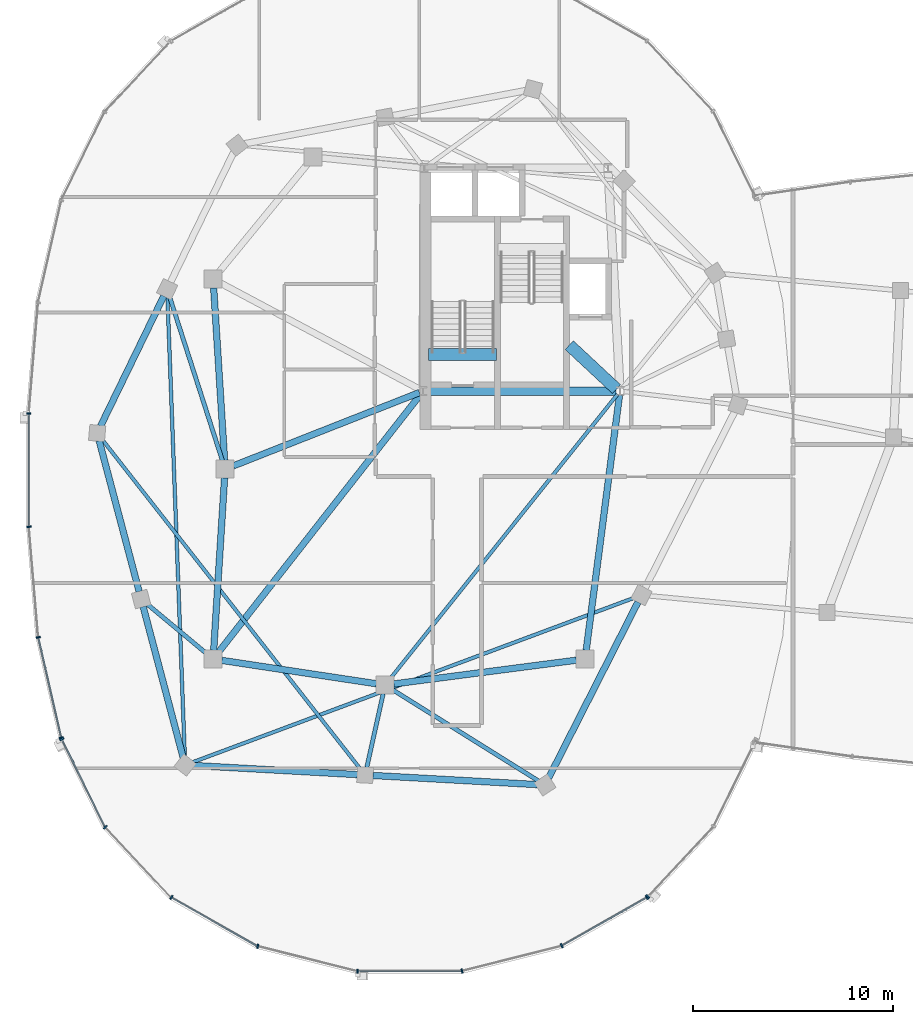
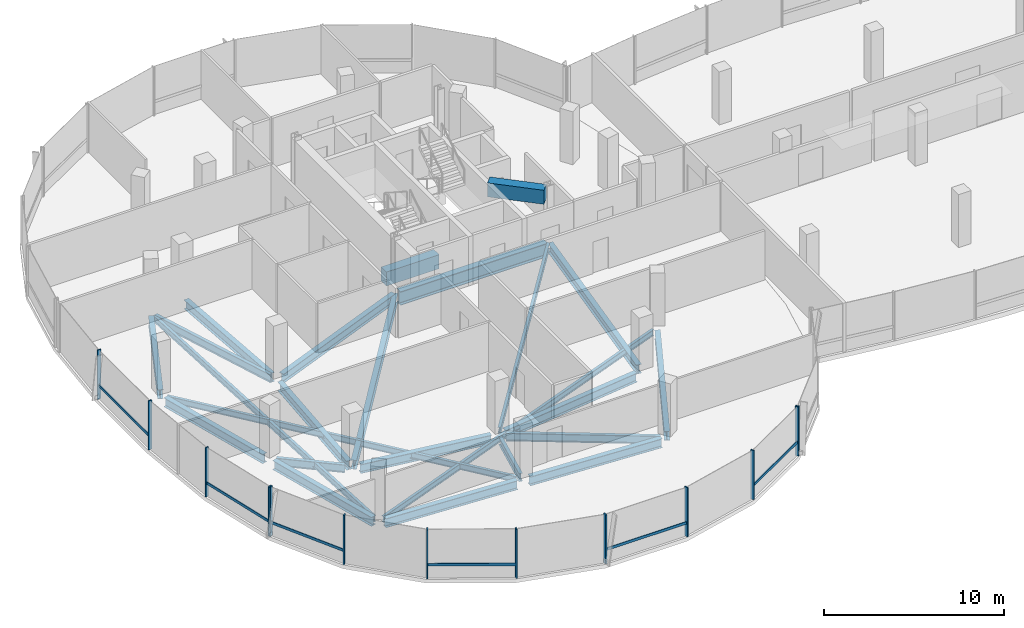
# One storey, part 3 of 26: 24 beams, 19 members, 3 elements without a shape of their own.
"""IFC4 building model written with IfcOpenShell, lengths in metres."""

from ifc_helpers import new_model, si_unit, direction, frame, origin, origin_2d, place, context, subcontext, project, spatial, rectangle, i_section, extrude, material, material_profile, profile_set, type_object, element, aggregate, save


model = new_model("IFC4")

# Units and contexts
model_context = context("Model", 3, precision=1e-05, world=origin(), true_north=direction((0.0, 1.0)))
body_context = subcontext(model_context, "Body", "Model", "MODEL_VIEW")
ifc_project = project(units=[si_unit("LENGTHUNIT", "METRE"), si_unit("AREAUNIT", "SQUARE_METRE"), si_unit("VOLUMEUNIT", "CUBIC_METRE"), si_unit("PLANEANGLEUNIT", "RADIAN"), si_unit("MASSUNIT", "GRAM", prefix="KILO"), si_unit("THERMODYNAMICTEMPERATUREUNIT", "KELVIN"), si_unit("POWERUNIT", "WATT")], contexts=[model_context])

# Site, building, storey
site_placement = place(None, origin())
site = spatial("IfcSite", under=ifc_project, at=site_placement, CompositionType="ELEMENT")
building_placement = place(site_placement, origin())
building = spatial("IfcBuilding", under=site, at=building_placement, Name="Cundina Bronze Exchange", CompositionType="ELEMENT")
storey_placement = place(building_placement, frame((0.0, 0.0, 264.800048828125)))
storey = spatial("IfcBuildingStorey", under=building, at=storey_placement, Name="L70", CompositionType="ELEMENT", Elevation=264.800048828125)

# Beams
ifc_material_1 = material(Name="Concrete C60/75", Category="concrete")
ifc_material_profile_1 = material_profile(ifc_material_1, rectangle(XDim=0.60009765625, YDim=0.949951171875, at=origin_2d()), Name="RC600X950", Category="concrete")
ifc_profile_set_1 = profile_set([ifc_material_profile_1], Name="Concrete C60/75")
beam_type_1 = type_object("IfcBeamType", Name="BM-COUP-RC950", PredefinedType="LINTEL", material=ifc_profile_set_1)
beam_1_placement = place(storey_placement, frame((-31.02001953125, 5.719970703125, -0.47509765625), z_axis=(1.0, 0.0, 0.0), x_axis=(0.0, 1.0, 0.0)))
element("IfcBeam", 1, at=beam_1_placement, inside=storey, type_object=beam_type_1, Name="L70 Stair W1 Landing Header Beam", PredefinedType="LINTEL", context=body_context, shape_type="SweptSolid", body=[
    extrude(rectangle(XDim=0.60009765625, YDim=0.949951171875, at=origin_2d()), origin(), (0.0, 0.0, 1.0), 3.39990234375),
])
beam_2_placement = place(storey_placement, frame((-23.989990234375, 6.199951171875, 2.864990234375), z_axis=(0.731490439815, -0.681851696822, 0.0), x_axis=(0.681851696822, 0.731490439815, 0.0)))
element("IfcBeam", 2, at=beam_2_placement, inside=storey, type_object=beam_type_1, Name="L70 W Core Shear Coupling Lintel Beam", PredefinedType="LINTEL", context=body_context, shape_type="SweptSolid", body=[
    extrude(rectangle(XDim=0.60009765625, YDim=0.949951171875, at=origin_2d()), origin(), (0.0, 0.0, 1.0), 3.226318359375),
])
ifc_material_2 = material(Name="Steel ASTM A992 Grade 50", Category="steel")
ifc_material_profile_2 = material_profile(ifc_material_2, i_section(OverallWidth=0.2119140625, OverallDepth=0.5439453125, WebThickness=0.01318359375, FlangeThickness=0.021240234375, FilletRadius=0.013916015625, at=origin_2d()), Name="W21X83", Category="steel")
ifc_profile_set_2 = profile_set([ifc_material_profile_2], Name="Steel ASTM A992 Grade 50")
beam_type_2 = type_object("IfcBeamType", Name="BM-FLR-W21A", PredefinedType="BEAM", material=ifc_profile_set_2)
beam_3_placement = place(storey_placement, frame((-41.334228515625, 0.4169921875, -0.531982421875), z_axis=(-0.306706012964, 0.951804297958, 0.0), x_axis=(-0.951804297958, -0.306706012964, 0.0)))
element("IfcBeam", 3, at=beam_3_placement, inside=storey, type_object=beam_type_2, Name="L70 Leg W Radial Floor Beam 07", PredefinedType="BEAM", context=body_context, shape_type="SweptSolid", body=[
    extrude(i_section(OverallWidth=0.2119140625, OverallDepth=0.5439453125, WebThickness=0.01318359375, FlangeThickness=0.021240234375, FilletRadius=0.013916015625, at=origin_2d()), origin(), (0.0, 0.0, 1.0), 8.629638671875),
])
beam_4_placement = place(storey_placement, frame((-42.136474609375, -9.219482421875, -0.531982421875), z_axis=(-0.768210910963, 0.640196841821, 0.0), x_axis=(-0.640196841821, -0.768210910963, 0.0)))
element("IfcBeam", 4, at=beam_4_placement, inside=storey, type_object=beam_type_2, Name="L70 Leg W Radial Floor Beam 09", PredefinedType="BEAM", context=body_context, shape_type="SweptSolid", body=[
    extrude(i_section(OverallWidth=0.2119140625, OverallDepth=0.5439453125, WebThickness=0.01318359375, FlangeThickness=0.021240234375, FilletRadius=0.013916015625, at=origin_2d()), origin(), (0.0, 0.0, 1.0), 3.860107421875),
])
beam_5_placement = place(storey_placement, frame((-33.294921875, -11.2275390625, -0.531982421875), z_axis=(-0.216930457819, -0.976187060184, 0.0), x_axis=(0.976187060184, -0.216930457819, 0.0)))
element("IfcBeam", 5, at=beam_5_placement, inside=storey, type_object=beam_type_2, Name="L70 Leg W Radial Floor Beam 11", PredefinedType="BEAM", context=body_context, shape_type="SweptSolid", body=[
    extrude(i_section(OverallWidth=0.2119140625, OverallDepth=0.5439453125, WebThickness=0.01318359375, FlangeThickness=0.021240234375, FilletRadius=0.013916015625, at=origin_2d()), origin(), (0.0, 0.0, 1.0), 3.78369140625),
])
beam_6_placement = place(storey_placement, frame((-32.82861328125, -11.031982421875, -0.531982421875), z_axis=(0.847983963552, -0.530021884038, 0.0), x_axis=(0.530021884038, 0.847983963552, 0.0)))
element("IfcBeam", 6, at=beam_6_placement, inside=storey, type_object=beam_type_2, Name="L70 Leg W Radial Floor Beam 12", PredefinedType="BEAM", context=body_context, shape_type="SweptSolid", body=[
    extrude(i_section(OverallWidth=0.2119140625, OverallDepth=0.5439453125, WebThickness=0.01318359375, FlangeThickness=0.021240234375, FilletRadius=0.013916015625, at=origin_2d()), origin(), (0.0, 0.0, 1.0), 8.608154296875),
])
ifc_material_profile_3 = material_profile(ifc_material_2, i_section(OverallWidth=0.178955078125, OverallDepth=0.409912109375, WebThickness=0.0087890625, FlangeThickness=0.014404296875, FilletRadius=0.010986328125, at=origin_2d()), Name="W16X45", Category="steel")
ifc_profile_set_3 = profile_set([ifc_material_profile_3], Name="Steel ASTM A992 Grade 50")
beam_type_3 = type_object("IfcBeamType", Name="BM-JST-W16", PredefinedType="JOIST", material=ifc_profile_set_3)
beam_7_placement = place(storey_placement, frame((-21.572509765625, 3.746826171875, -0.465087890625), z_axis=(-0.624364266872, -0.781133319129, 0.0), x_axis=(0.781133319129, -0.624364266872, 0.0)))
element("IfcBeam", 7, at=beam_7_placement, inside=storey, type_object=beam_type_3, Name="L70 W Interior Core-to-Ring Joist 2", PredefinedType="JOIST", context=body_context, shape_type="SweptSolid", body=[
    extrude(i_section(OverallWidth=0.178955078125, OverallDepth=0.409912109375, WebThickness=0.0087890625, FlangeThickness=0.014404296875, FilletRadius=0.010986328125, at=origin_2d()), origin(), (0.0, 0.0, 1.0), 18.184814453125),
])
beam_8_placement = place(storey_placement, frame((-44.085205078125, 8.6123046875, -0.465087890625), z_axis=(0.037784872152, -0.999285896746, 0.0), x_axis=(0.999285896746, 0.037784872152, 0.0)))
element("IfcBeam", 8, at=beam_8_placement, inside=storey, type_object=beam_type_3, Name="L70 Leg W Lobe Floor Joist 07-10", PredefinedType="JOIST", context=body_context, shape_type="SweptSolid", body=[
    extrude(i_section(OverallWidth=0.178955078125, OverallDepth=0.409912109375, WebThickness=0.0087890625, FlangeThickness=0.014404296875, FilletRadius=0.010986328125, at=origin_2d()), origin(), (0.0, 0.0, 1.0), 23.041015625),
])
beam_9_placement = place(storey_placement, frame((-47.360595703125, 1.49462890625, -0.465087890625), z_axis=(0.616804005008, -0.78711677622, 0.0), x_axis=(0.78711677622, 0.616804005008, 0.0)))
element("IfcBeam", 9, at=beam_9_placement, inside=storey, type_object=beam_type_3, Name="L70 Leg W Lobe Floor Joist 08-11", PredefinedType="JOIST", context=body_context, shape_type="SweptSolid", body=[
    extrude(i_section(OverallWidth=0.178955078125, OverallDepth=0.409912109375, WebThickness=0.0087890625, FlangeThickness=0.014404296875, FilletRadius=0.010986328125, at=origin_2d()), origin(), (0.0, 0.0, 1.0), 20.948974609375),
])
beam_10_placement = place(storey_placement, frame((-42.83642578125, -14.66455078125, -0.465087890625), z_axis=(0.937127932085, 0.348986015344, 0.0), x_axis=(-0.348986015344, 0.937127932085, 0.0)))
element("IfcBeam", 10, at=beam_10_placement, inside=storey, type_object=beam_type_3, Name="L70 Leg W Lobe Floor Joist 10-13", PredefinedType="JOIST", context=body_context, shape_type="SweptSolid", body=[
    extrude(i_section(OverallWidth=0.178955078125, OverallDepth=0.409912109375, WebThickness=0.0087890625, FlangeThickness=0.014404296875, FilletRadius=0.010986328125, at=origin_2d()), origin(), (0.0, 0.0, 1.0), 23.58056640625),
])
ifc_material_profile_4 = material_profile(ifc_material_2, i_section(OverallWidth=0.324951171875, OverallDepth=0.615966796875, WebThickness=0.013916015625, FlangeThickness=0.021484375, FilletRadius=0.01611328125, at=origin_2d()), Name="W24X117", Category="steel")
ifc_profile_set_4 = profile_set([ifc_material_profile_4], Name="Steel ASTM A992 Grade 50")
beam_type_4 = type_object("IfcBeamType", Name="BM-RING-W24", PredefinedType="USERDEFINED", material=ifc_profile_set_4)
for number, where, z_axis, x_axis, name in (
    (11, (-41.7724609375, 9.06298828125, -0.568115234375), (0.063046519736, -0.998010589297, 0.0), (0.998010589297, 0.063046519736, 0.0), "L70 W Inner Structural Ring Girder 03"),
    (12, (-41.2275390625, -0.43701171875, -0.568115234375), (-0.063046519736, -0.998010589297, 0.0), (0.998010589297, -0.063046519736, 0.0), "L70 W Inner Structural Ring Girder 04"),
):
    element("IfcBeam", number, at=place(storey_placement, frame(where, z_axis=z_axis, x_axis=x_axis)), inside=storey, type_object=beam_type_4, Name=name, ObjectType="GIRDER", PredefinedType="USERDEFINED", context=body_context, shape_type="SweptSolid", body=[
        extrude(i_section(OverallWidth=0.324951171875, OverallDepth=0.615966796875, WebThickness=0.013916015625, FlangeThickness=0.021484375, FilletRadius=0.01611328125, at=origin_2d()), origin(), (0.0, 0.0, 1.0), 8.64306640625),
    ])
beam_11_placement = place(storey_placement, frame((-41.366943359375, -9.5654296875, -0.568115234375), z_axis=(0.988764903598, -0.149478979839, 0.0), x_axis=(0.149478979839, 0.988764903598, 0.0)))
element("IfcBeam", 13, at=beam_11_placement, inside=storey, type_object=beam_type_4, Name="L70 W Inner Structural Ring Girder 05", ObjectType="GIRDER", PredefinedType="USERDEFINED", context=body_context, shape_type="SweptSolid", body=[
    extrude(i_section(OverallWidth=0.324951171875, OverallDepth=0.615966796875, WebThickness=0.013916015625, FlangeThickness=0.021484375, FilletRadius=0.01611328125, at=origin_2d()), origin(), (0.0, 0.0, 1.0), 7.82177734375),
])
beam_12_placement = place(storey_placement, frame((-32.765625, -10.743408203125, -0.568115234375), z_axis=(0.991656498582, 0.128908451316, 0.0), x_axis=(-0.128908451316, 0.991656498582, 0.0)))
element("IfcBeam", 14, at=beam_12_placement, inside=storey, type_object=beam_type_4, Name="L70 W Inner Structural Ring Girder 06", ObjectType="GIRDER", PredefinedType="USERDEFINED", context=body_context, shape_type="SweptSolid", body=[
    extrude(i_section(OverallWidth=0.324951171875, OverallDepth=0.615966796875, WebThickness=0.013916015625, FlangeThickness=0.021484375, FilletRadius=0.01611328125, at=origin_2d()), origin(), (0.0, 0.0, 1.0), 9.208251953125),
])
beam_13_placement = place(storey_placement, frame((-23.143310546875, -9.065673828125, -0.568115234375), z_axis=(0.129501251979, 0.991579258424, 0.0), x_axis=(-0.991579258424, 0.129501251979, 0.0)))
element("IfcBeam", 15, at=beam_13_placement, inside=storey, type_object=beam_type_4, Name="L70 W Inner Structural Ring Girder 07", ObjectType="GIRDER", PredefinedType="USERDEFINED", context=body_context, shape_type="SweptSolid", body=[
    extrude(i_section(OverallWidth=0.324951171875, OverallDepth=0.615966796875, WebThickness=0.013916015625, FlangeThickness=0.021484375, FilletRadius=0.01611328125, at=origin_2d()), origin(), (0.0, 0.0, 1.0), 12.8798828125),
])
beam_14_placement = place(storey_placement, frame((-31.482421875, 3.828125, -0.568115234375), z_axis=(-0.930404106569, -0.366535398673, 0.0), x_axis=(0.366535398673, -0.930404106569, 0.0)))
element("IfcBeam", 16, at=beam_14_placement, inside=storey, type_object=beam_type_4, Name="L70 W Core-to-Waist Tie Beam 1", ObjectType="GIRDER", PredefinedType="USERDEFINED", context=body_context, shape_type="SweptSolid", body=[
    extrude(i_section(OverallWidth=0.324951171875, OverallDepth=0.615966796875, WebThickness=0.013916015625, FlangeThickness=0.021484375, FilletRadius=0.01611328125, at=origin_2d()), origin(), (0.0, 0.0, 1.0), 10.00634765625),
])
beam_15_placement = place(storey_placement, frame((-31.4208984375, 3.74560546875, -0.568115234375), z_axis=(-0.616782900053, -0.787133314123, 0.0), x_axis=(0.787133314123, -0.616782900053, 0.0)))
element("IfcBeam", 17, at=beam_15_placement, inside=storey, type_object=beam_type_4, Name="L70 W Core-to-Waist Tie Beam 3", ObjectType="GIRDER", PredefinedType="USERDEFINED", context=body_context, shape_type="SweptSolid", body=[
    extrude(i_section(OverallWidth=0.324951171875, OverallDepth=0.615966796875, WebThickness=0.013916015625, FlangeThickness=0.021484375, FilletRadius=0.01611328125, at=origin_2d()), origin(), (0.0, 0.0, 1.0), 16.3896484375),
])
beam_16_placement = place(storey_placement, frame((-44.26953125, 8.65087890625, -0.568115234375), z_axis=(-0.437216986791, -0.899356050995, 0.0), x_axis=(0.899356050995, -0.437216986791, 0.0)))
element("IfcBeam", 18, at=beam_16_placement, inside=storey, type_object=beam_type_4, Name="L70 W Perimeter Ring Girder 07", ObjectType="GIRDER", PredefinedType="USERDEFINED", context=body_context, shape_type="SweptSolid", body=[
    extrude(i_section(OverallWidth=0.324951171875, OverallDepth=0.615966796875, WebThickness=0.013916015625, FlangeThickness=0.021484375, FilletRadius=0.01611328125, at=origin_2d()), origin(), (0.0, 0.0, 1.0), 7.2294921875),
])
for number, where, z_axis, x_axis, name in (
    (19, (-47.50048828125, 1.425048828125, -0.568115234375), (0.256183793797, -0.966628089699, 0.0), (0.966628089699, 0.256183793797, 0.0), "L70 W Perimeter Ring Girder 08"),
    (20, (-45.300537109375, -6.875, -0.568115234375), (0.256212999207, -0.966620348967, 0.0), (0.966620348967, 0.256212999207, 0.0), "L70 W Perimeter Ring Girder 09"),
):
    element("IfcBeam", number, at=place(storey_placement, frame(where, z_axis=z_axis, x_axis=x_axis)), inside=storey, type_object=beam_type_4, Name=name, ObjectType="GIRDER", PredefinedType="USERDEFINED", context=body_context, shape_type="SweptSolid", body=[
        extrude(i_section(OverallWidth=0.324951171875, OverallDepth=0.615966796875, WebThickness=0.013916015625, FlangeThickness=0.021484375, FilletRadius=0.01611328125, at=origin_2d()), origin(), (0.0, 0.0, 1.0), 7.810791015625),
    ])
for number, where, z_axis, x_axis, name in (
    (21, (-42.8125, -14.821533203125, -0.568115234375), (0.998459806018, -0.055479868117, 0.0), (0.055479868117, 0.998459806018, 0.0), "L70 W Perimeter Ring Girder 10"),
    (22, (-33.8125, -15.321533203125, -0.568115234375), (0.998459806018, -0.055479868117, 0.0), (0.055479868117, 0.998459806018, 0.0), "L70 W Perimeter Ring Girder 11"),
):
    element("IfcBeam", number, at=place(storey_placement, frame(where, z_axis=z_axis, x_axis=x_axis)), inside=storey, type_object=beam_type_4, Name=name, ObjectType="GIRDER", PredefinedType="USERDEFINED", context=body_context, shape_type="SweptSolid", body=[
        extrude(i_section(OverallWidth=0.324951171875, OverallDepth=0.615966796875, WebThickness=0.013916015625, FlangeThickness=0.021484375, FilletRadius=0.01611328125, at=origin_2d()), origin(), (0.0, 0.0, 1.0), 8.23779296875),
    ])
beam_17_placement = place(storey_placement, frame((-25.0244140625, -15.4541015625, -0.568115234375), z_axis=(0.452839263805, 0.891592171991, 0.0), x_axis=(-0.891592171991, 0.452839263805, 0.0)))
element("IfcBeam", 23, at=beam_17_placement, inside=storey, type_object=beam_type_4, Name="L70 W Perimeter Ring Girder 12", ObjectType="GIRDER", PredefinedType="USERDEFINED", context=body_context, shape_type="SweptSolid", body=[
    extrude(i_section(OverallWidth=0.324951171875, OverallDepth=0.615966796875, WebThickness=0.013916015625, FlangeThickness=0.021484375, FilletRadius=0.01611328125, at=origin_2d()), origin(), (0.0, 0.0, 1.0), 9.879150390625),
])
ifc_material_profile_5 = material_profile(ifc_material_2, i_section(OverallWidth=0.41796875, OverallDepth=0.927001953125, WebThickness=0.019287109375, FlangeThickness=0.031982421875, FilletRadius=0.02392578125, at=origin_2d()), Name="W36X231", Category="steel")
ifc_profile_set_5 = profile_set([ifc_material_profile_5], Name="Steel ASTM A992 Grade 50")
beam_type_5 = type_object("IfcBeamType", Name="BM-WRN-W36B", PredefinedType="USERDEFINED", material=ifc_profile_set_5)
beam_18_placement = place(storey_placement, frame((-31.10400390625, 3.89990234375, -0.7236328125), z_axis=(1.0, 0.0, 0.0), x_axis=(0.0, 1.0, 0.0)))
element("IfcBeam", 24, at=beam_18_placement, inside=storey, type_object=beam_type_5, Name="L70 W Core Perimeter Tie Girder 1", ObjectType="GIRDER", PredefinedType="USERDEFINED", context=body_context, shape_type="SweptSolid", body=[
    extrude(i_section(OverallWidth=0.41796875, OverallDepth=0.927001953125, WebThickness=0.019287109375, FlangeThickness=0.031982421875, FilletRadius=0.02392578125, at=origin_2d()), origin(), (0.0, 0.0, 1.0), 9.4580078125),
])

# Curtain wall, members
ifc_material_3 = material(Name="Anodised Bronze Aluminium 6063-T6", Category="aluminium")
curtain_wall_type = type_object("IfcCurtainWallType", Name="CWS-SKG-BRG", PredefinedType="NOTDEFINED", material=ifc_material_3)
curtain_wall_1_placement = place(storey_placement, origin())
curtain_wall_1 = element("IfcCurtainWall", 25, at=curtain_wall_1_placement, inside=storey, type_object=curtain_wall_type, Name="L70 CW-06 Curtain Wall Run CWR-L70-W2", PredefinedType="NOTDEFINED")
ifc_material_profile_6 = material_profile(ifc_material_3, rectangle(XDim=0.074951171875, YDim=0.219970703125, at=origin_2d()), Name="AL75X220", Category="aluminium")
ifc_profile_set_6 = profile_set([ifc_material_profile_6], Name="Anodised Bronze Aluminium 6063-T6")
member_type_1 = type_object("IfcMemberType", Name="CWM-MUL-220", PredefinedType="MULLION", material=ifc_profile_set_6)
member_1_placement = place(storey_placement, frame((-51.01904296875, 2.79150390625, 0.0), z_axis=(0.0, 0.0, 1.0), x_axis=(0.0, -1.0, 0.0)))
member_1 = element("IfcMember", 26, at=member_1_placement, type_object=member_type_1, Name="CW-06 Mullion 5", PredefinedType="MULLION", context=body_context, shape_type="SweptSolid", body=[
    extrude(rectangle(XDim=0.074951171875, YDim=0.219970703125, at=origin_2d()), origin(), (0.0, 0.0, 1.0), 3.33984375),
])
member_2_placement = place(storey_placement, frame((-51.01513671875, -2.885498046875, 0.0), z_axis=(0.0, 0.0, 1.0), x_axis=(0.083677843332, -0.99649285925, 0.0)))
member_2 = element("IfcMember", 27, at=member_2_placement, type_object=member_type_1, Name="CW-06 Mullion 6", PredefinedType="MULLION", context=body_context, shape_type="SweptSolid", body=[
    extrude(rectangle(XDim=0.074951171875, YDim=0.219970703125, at=origin_2d()), origin(), (0.0, 0.0, 1.0), 3.33984375),
])
member_3_placement = place(storey_placement, frame((-50.544677734375, -8.4111328125, 0.0), z_axis=(0.0, 0.0, 1.0), x_axis=(0.223250116011, -0.974761194191, 0.0)))
member_3 = element("IfcMember", 28, at=member_3_placement, type_object=member_type_1, Name="CW-06 Mullion 7", PredefinedType="MULLION", context=body_context, shape_type="SweptSolid", body=[
    extrude(rectangle(XDim=0.074951171875, YDim=0.219970703125, at=origin_2d()), origin(), (0.0, 0.0, 1.0), 3.33984375),
])
member_4_placement = place(storey_placement, frame((-49.39404296875, -13.433837890625, 0.0), z_axis=(0.0, 0.0, 1.0), x_axis=(0.223250116011, -0.974761194191, 0.0)))
member_4 = element("IfcMember", 29, at=member_4_placement, type_object=member_type_1, Name="CW-06 End Mullion", PredefinedType="MULLION", context=body_context, shape_type="SweptSolid", body=[
    extrude(rectangle(XDim=0.074951171875, YDim=0.219970703125, at=origin_2d()), origin(), (0.0, 0.0, 1.0), 3.33984375),
])

curtain_wall_2_placement = place(storey_placement, origin())
curtain_wall_2 = element("IfcCurtainWall", 30, at=curtain_wall_2_placement, inside=storey, type_object=curtain_wall_type, Name="L70 CW-06 Curtain Wall Run CWR-L70-W3", PredefinedType="NOTDEFINED")
member_5_placement = place(storey_placement, frame((-49.369140625, -13.50390625, 0.0), z_axis=(0.0, 0.0, 1.0), x_axis=(0.440566004113, -0.897720221461, 0.0)))
member_5 = element("IfcMember", 31, at=member_5_placement, type_object=member_type_1, Name="CW-06 Mullion 1", PredefinedType="MULLION", context=body_context, shape_type="SweptSolid", body=[
    extrude(rectangle(XDim=0.074951171875, YDim=0.219970703125, at=origin_2d()), origin(), (0.0, 0.0, 1.0), 3.33984375),
])
member_6_placement = place(storey_placement, frame((-47.1962890625, -17.910400390625, 0.0), z_axis=(0.0, 0.0, 1.0), x_axis=(0.684292606175, -0.729207535023, 0.0)))
member_6 = element("IfcMember", 32, at=member_6_placement, type_object=member_type_1, Name="CW-06 Mullion 2", PredefinedType="MULLION", context=body_context, shape_type="SweptSolid", body=[
    extrude(rectangle(XDim=0.074951171875, YDim=0.219970703125, at=origin_2d()), origin(), (0.0, 0.0, 1.0), 3.33984375),
])
member_7_placement = place(storey_placement, frame((-43.88916015625, -21.419921875, 0.0), z_axis=(0.0, 0.0, 1.0), x_axis=(0.86958112538, -0.493790103568, 0.0)))
member_7 = element("IfcMember", 33, at=member_7_placement, type_object=member_type_1, Name="CW-06 Mullion 3", PredefinedType="MULLION", context=body_context, shape_type="SweptSolid", body=[
    extrude(rectangle(XDim=0.074951171875, YDim=0.219970703125, at=origin_2d()), origin(), (0.0, 0.0, 1.0), 3.33984375),
])
member_8_placement = place(storey_placement, frame((-39.5703125, -23.86181640625, 0.0), z_axis=(0.0, 0.0, 1.0), x_axis=(0.969744325821, -0.244122802168, 0.0)))
member_8 = element("IfcMember", 34, at=member_8_placement, type_object=member_type_1, Name="CW-06 Mullion 4", PredefinedType="MULLION", context=body_context, shape_type="SweptSolid", body=[
    extrude(rectangle(XDim=0.074951171875, YDim=0.219970703125, at=origin_2d()), origin(), (0.0, 0.0, 1.0), 3.33984375),
])
member_9_placement = place(storey_placement, frame((-34.576416015625, -25.110107421875, 0.0), z_axis=(0.0, 0.0, 1.0), x_axis=(1.0, 0.0, 0.0)))
member_9 = element("IfcMember", 35, at=member_9_placement, type_object=member_type_1, Name="CW-06 Mullion 5", PredefinedType="MULLION", context=body_context, shape_type="SweptSolid", body=[
    extrude(rectangle(XDim=0.074951171875, YDim=0.219970703125, at=origin_2d()), origin(), (0.0, 0.0, 1.0), 3.33984375),
])
member_10_placement = place(storey_placement, frame((-29.351806640625, -25.10107421875, 0.0), z_axis=(0.0, 0.0, 1.0), x_axis=(0.969744325821, 0.244122802168, 0.0)))
member_10 = element("IfcMember", 36, at=member_10_placement, type_object=member_type_1, Name="CW-06 Mullion 6", PredefinedType="MULLION", context=body_context, shape_type="SweptSolid", body=[
    extrude(rectangle(XDim=0.074951171875, YDim=0.219970703125, at=origin_2d()), origin(), (0.0, 0.0, 1.0), 3.33984375),
])
member_11_placement = place(storey_placement, frame((-24.365478515625, -23.8359375, 0.0), z_axis=(0.0, 0.0, 1.0), x_axis=(0.86958112538, 0.493790103568, 0.0)))
member_11 = element("IfcMember", 37, at=member_11_placement, type_object=member_type_1, Name="CW-06 Mullion 7", PredefinedType="MULLION", context=body_context, shape_type="SweptSolid", body=[
    extrude(rectangle(XDim=0.074951171875, YDim=0.219970703125, at=origin_2d()), origin(), (0.0, 0.0, 1.0), 3.33984375),
])
member_12_placement = place(storey_placement, frame((-20.11083984375, -21.419921875, 0.0), z_axis=(0.0, 0.0, 1.0), x_axis=(0.86958112538, 0.493790103568, 0.0)))
member_12 = element("IfcMember", 38, at=member_12_placement, type_object=member_type_1, Name="CW-06 End Mullion", PredefinedType="MULLION", context=body_context, shape_type="SweptSolid", body=[
    extrude(rectangle(XDim=0.074951171875, YDim=0.219970703125, at=origin_2d()), origin(), (0.0, 0.0, 1.0), 3.33984375),
])

# Curtain wall, member
curtain_wall_3_placement = place(storey_placement, origin())
curtain_wall_3 = element("IfcCurtainWall", 39, at=curtain_wall_3_placement, inside=storey, type_object=curtain_wall_type, Name="L70 CW-06 Curtain Wall Run CWR-L70-W4", PredefinedType="NOTDEFINED")
member_13_placement = place(storey_placement, frame((-20.059814453125, -21.3798828125, 0.0), z_axis=(0.0, 0.0, 1.0), x_axis=(0.684292606175, 0.729207535023, 0.0)))
member_13 = element("IfcMember", 40, at=member_13_placement, type_object=member_type_1, Name="CW-06 Mullion 1", PredefinedType="MULLION", context=body_context, shape_type="SweptSolid", body=[
    extrude(rectangle(XDim=0.074951171875, YDim=0.219970703125, at=origin_2d()), origin(), (0.0, 0.0, 1.0), 3.33984375),
])
aggregate(curtain_wall_3, [member_13])

# Member
ifc_material_profile_7 = material_profile(ifc_material_3, rectangle(XDim=0.070068359375, YDim=0.179931640625, at=origin_2d()), Name="AL70X180", Category="aluminium")
ifc_profile_set_7 = profile_set([ifc_material_profile_7], Name="Anodised Bronze Aluminium 6063-T6")
member_type_2 = type_object("IfcMemberType", Name="CWM-TRN-180", PredefinedType="USERDEFINED", material=ifc_profile_set_7)
member_14_placement = place(storey_placement, frame((-51.01904296875, 2.750244140625, 0.919921875), z_axis=(0.0, -1.0, 0.0), x_axis=(1.0, 0.0, 0.0)))
member_14 = element("IfcMember", 41, at=member_14_placement, type_object=member_type_2, Name="CW-06 Spandrel Transom 5", ObjectType="TRANSOM", PredefinedType="USERDEFINED", context=body_context, shape_type="SweptSolid", body=[
    extrude(rectangle(XDim=0.070068359375, YDim=0.179931640625, at=origin_2d()), origin(), (0.0, 0.0, 1.0), 5.5830078125),
])

member_15_placement = place(storey_placement, frame((-50.535400390625, -8.451416015625, 0.919921875), z_axis=(0.223283702293, -0.974753501297, 0.0), x_axis=(0.974753501297, 0.223283702293, 0.0)))
member_15 = element("IfcMember", 42, at=member_15_placement, type_object=member_type_2, Name="CW-06 Spandrel Transom 7", ObjectType="TRANSOM", PredefinedType="USERDEFINED", context=body_context, shape_type="SweptSolid", body=[
    extrude(rectangle(XDim=0.070068359375, YDim=0.179931640625, at=origin_2d()), origin(), (0.0, 0.0, 1.0), 5.070068359375),
])

aggregate(curtain_wall_1, [member_1, member_14, member_2, member_3, member_4, member_15])

member_16_placement = place(storey_placement, frame((-49.35107421875, -13.541015625, 0.919921875), z_axis=(0.440554408939, -0.897725911826, 0.0), x_axis=(0.897725911826, 0.440554408939, 0.0)))
member_16 = element("IfcMember", 43, at=member_16_placement, type_object=member_type_2, Name="CW-06 Spandrel Transom 1", ObjectType="TRANSOM", PredefinedType="USERDEFINED", context=body_context, shape_type="SweptSolid", body=[
    extrude(rectangle(XDim=0.070068359375, YDim=0.179931640625, at=origin_2d()), origin(), (0.0, 0.0, 1.0), 4.848388671875),
])

member_17_placement = place(storey_placement, frame((-43.853271484375, -21.440185546875, 0.919921875), z_axis=(0.869557366176, -0.493831941989, 0.0), x_axis=(0.493831941989, 0.869557366176, 0.0)))
member_17 = element("IfcMember", 44, at=member_17_placement, type_object=member_type_2, Name="CW-06 Spandrel Transom 3", ObjectType="TRANSOM", PredefinedType="USERDEFINED", context=body_context, shape_type="SweptSolid", body=[
    extrude(rectangle(XDim=0.070068359375, YDim=0.179931640625, at=origin_2d()), origin(), (0.0, 0.0, 1.0), 4.892822265625),
])

member_18_placement = place(storey_placement, frame((-34.53515625, -25.110107421875, 0.919921875), z_axis=(1.0, 0.0, 0.0), x_axis=(0.0, 1.0, 0.0)))
member_18 = element("IfcMember", 45, at=member_18_placement, type_object=member_type_2, Name="CW-06 Spandrel Transom 5", ObjectType="TRANSOM", PredefinedType="USERDEFINED", context=body_context, shape_type="SweptSolid", body=[
    extrude(rectangle(XDim=0.070068359375, YDim=0.179931640625, at=origin_2d()), origin(), (0.0, 0.0, 1.0), 5.153076171875),
])

member_19_placement = place(storey_placement, frame((-24.32958984375, -23.815673828125, 0.919921875), z_axis=(0.869558105282, 0.493830640542, 0.0), x_axis=(-0.493830640542, 0.869558105282, 0.0)))
member_19 = element("IfcMember", 46, at=member_19_placement, type_object=member_type_2, Name="CW-06 Spandrel Transom 7", ObjectType="TRANSOM", PredefinedType="USERDEFINED", context=body_context, shape_type="SweptSolid", body=[
    extrude(rectangle(XDim=0.070068359375, YDim=0.179931640625, at=origin_2d()), origin(), (0.0, 0.0, 1.0), 4.810302734375),
])

aggregate(curtain_wall_2, [member_5, member_16, member_6, member_7, member_17, member_8, member_9, member_18, member_10, member_11, member_12, member_19])

save(model, "model.ifc")
